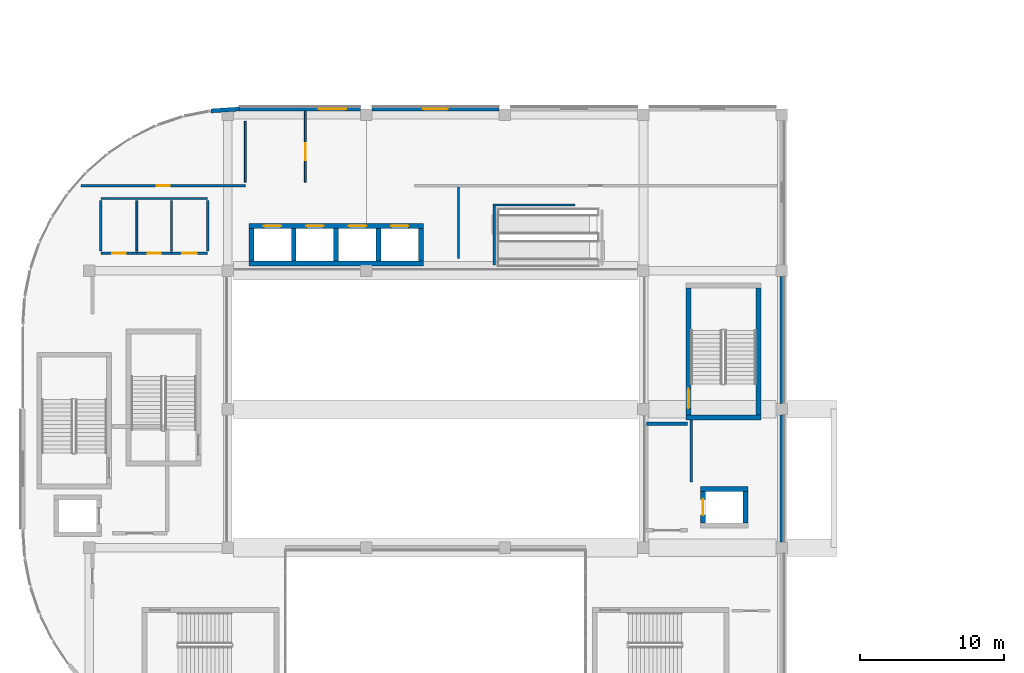
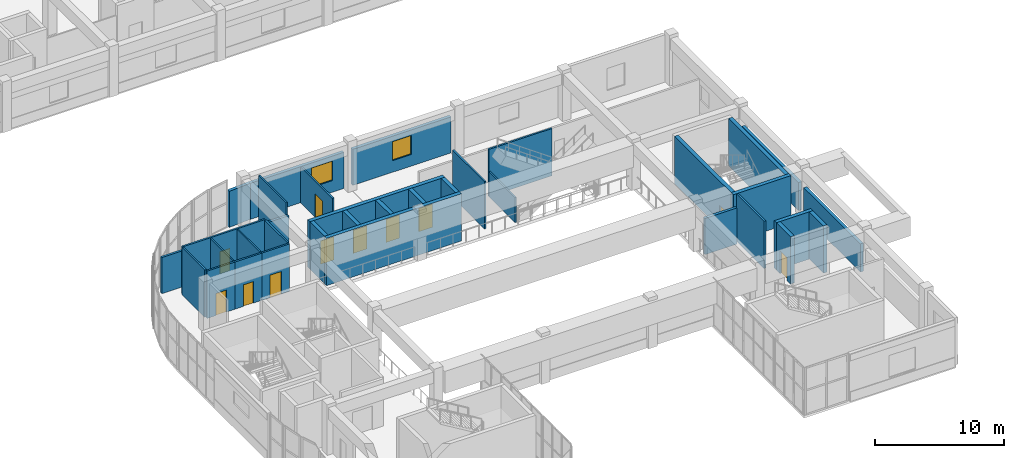
# One storey, part 22 of 33: 34 walls, 11 doors, 2 windows, 13 openings.
"""IFC4 building model written with IfcOpenShell, lengths in metres."""

from ifc_helpers import new_model, si_unit, direction, frame, frame_2d, origin, place, context, subcontext, project, spatial, rectangle, extrude, material, layer, layer_set, type_object, element, fill, save


model = new_model("IFC4")

# Units and contexts
model_context = context("Model", 3, precision=1e-05, world=origin(), true_north=direction((0.0, 1.0)))
body_context = subcontext(model_context, "Body", "Model", "MODEL_VIEW")
ifc_project = project(units=[si_unit("LENGTHUNIT", "METRE"), si_unit("AREAUNIT", "SQUARE_METRE"), si_unit("VOLUMEUNIT", "CUBIC_METRE"), si_unit("PLANEANGLEUNIT", "RADIAN"), si_unit("MASSUNIT", "GRAM", prefix="KILO")], contexts=[model_context])

# Site, building, storey
site_placement = place(None, origin())
site = spatial("IfcSite", under=ifc_project, at=site_placement, CompositionType="ELEMENT")
building_placement = place(site_placement, origin())
building = spatial("IfcBuilding", under=site, at=building_placement, Name="Cendralis Terraced Arcade", CompositionType="ELEMENT")
storey_placement = place(building_placement, frame((0.0, 0.0, 19.800048828125)))
storey = spatial("IfcBuildingStorey", under=building, at=storey_placement, Name="L04", CompositionType="ELEMENT", Elevation=19.800048828125)

# Wall, opening, door
ifc_material_1 = material(Name="Gypsum plasterboard acoustic partition", Category="concrete")
ifc_layer_1 = layer(ifc_material_1, 0.199951171875, Name="WL-ACOU-200")
ifc_layer_set_1 = layer_set([ifc_layer_1], Name="Gypsum plasterboard acoustic partition")
wall_type_1 = type_object("IfcWallType", Name="WL-ACOU-200", PredefinedType="PARTITIONING", material=ifc_layer_set_1)
wall_1_placement = place(storey_placement, frame((9.032958984375, 44.280029296875, 0.0), z_axis=(0.0, 0.0, 1.0), x_axis=(1.0, 0.0, 0.0)))
wall_1 = element("IfcWall", 1, at=wall_1_placement, inside=storey, type_object=wall_type_1, Name="Interior Partition Wall IW-L04-0577", PredefinedType="PARTITIONING", context=body_context, shape_type="SweptSolid", body=[
    extrude(rectangle(XDim=11.386962890625, YDim=0.199951171875, at=frame_2d((5.693359375, 0.0))), origin(), (0.0, 0.0, 1.0), 3.419921875),
])
opening_1_placement = place(wall_1_placement, frame((5.2333984375, 0.0, 0.0)))
opening_1 = element("IfcOpeningElement", 2, at=opening_1_placement, cuts=wall_1, Name="Opening D-L04-158", PredefinedType="OPENING", context=body_context, shape_type="SweptSolid", body=[
    extrude(rectangle(XDim=0.919921875, YDim=2.10009765625, at=frame_2d((0.4599609375, 1.050048828125))), frame((0.0, 0.11181640625, 0.0), z_axis=(0.0, -1.0, 0.0), x_axis=(1.0, 0.0, 0.0)), (0.0, 0.0, 1.0), 0.223876953125),
])
ifc_material_2 = material(Name="Solid core Andean oak veneer door leaf", Category="aluminium")
door_type_1 = type_object("IfcDoorType", Name="ID-RM-0920x2100", OperationType="NOTDEFINED", PredefinedType="DOOR", material=ifc_material_2)
door_1_placement = place(opening_1_placement, origin())
door_1 = element("IfcDoor", 3, at=door_1_placement, inside=storey, type_object=door_type_1, Name="Bookshop and Stationery Salon Door D-L04-158", OperationType="SINGLE_SWING_LEFT", OverallHeight=2.10009765625, OverallWidth=0.919921875, PredefinedType="DOOR", context=body_context, shape_type="SweptSolid", body=[
    extrude(rectangle(XDim=0.919921875, YDim=2.10009765625, at=frame_2d((0.4599609375, 1.050048828125))), frame((0.0, 0.02490234375, 0.0), z_axis=(0.0, -1.0, 0.0), x_axis=(1.0, 0.0, 0.0)), (0.0, 0.0, 1.0), 0.050048828125),
])
fill(opening_1, door_1)

# Walls
ifc_material_3 = material(Name="Concrete f'c 42 MPa", Category="concrete")
ifc_layer_2 = layer(ifc_material_3, 0.340087890625, Name="WL-CORE-340")
ifc_layer_set_2 = layer_set([ifc_layer_2], Name="Concrete f'c 42 MPa")
wall_type_2 = type_object("IfcWallType", Name="WL-CORE-340", PredefinedType="SHEAR", material=ifc_layer_set_2)
wall_2_placement = place(storey_placement, frame((50.9599609375, 28.22998046875, 0.0), z_axis=(0.0, 0.0, 1.0), x_axis=(1.0, 0.0, 0.0)))
element("IfcWall", 4, at=wall_2_placement, inside=storey, type_object=wall_type_2, Name="Stair Core Reinforced Concrete Shear Wall SW-ST-04-L04-S", PredefinedType="SHEAR", context=body_context, shape_type="SweptSolid", body=[
    extrude(rectangle(XDim=5.179931640625, YDim=0.340087890625, at=frame_2d((2.58984375, 0.0))), origin(), (0.0, 0.0, 1.0), 4.47998046875),
])
wall_3_placement = place(storey_placement, frame((55.969970703125, 28.39990234375, 0.0), z_axis=(0.0, 0.0, 1.0), x_axis=(0.0, 1.0, 0.0)))
element("IfcWall", 5, at=wall_3_placement, inside=storey, type_object=wall_type_2, Name="Stair Core Reinforced Concrete Shear Wall SW-ST-04-L04-E", PredefinedType="SHEAR", context=body_context, shape_type="SweptSolid", body=[
    extrude(rectangle(XDim=8.800048828125, YDim=0.340087890625, at=frame_2d((4.39990234375, 0.0))), origin(), (0.0, 0.0, 1.0), 4.47998046875),
])

# Wall, opening, door
wall_4_placement = place(storey_placement, frame((51.1298828125, 28.39990234375, 0.0), z_axis=(0.0, 0.0, 1.0), x_axis=(0.0, 1.0, 0.0)))
wall_4 = element("IfcWall", 6, at=wall_4_placement, inside=storey, type_object=wall_type_2, Name="Stair Core Reinforced Concrete Shear Wall SW-ST-04-L04-W", PredefinedType="SHEAR", context=body_context, shape_type="SweptSolid", body=[
    extrude(rectangle(XDim=8.800048828125, YDim=0.340087890625, at=frame_2d((4.39990234375, 0.0))), origin(), (0.0, 0.0, 1.0), 4.47998046875),
])
opening_2_placement = place(wall_4_placement, frame((0.449951171875, 0.0, 0.0)))
opening_2 = element("IfcOpeningElement", 7, at=opening_2_placement, cuts=wall_4, Name="Opening D-ST-04-L04", PredefinedType="OPENING", context=body_context, shape_type="SweptSolid", body=[
    extrude(rectangle(XDim=1.35009765625, YDim=2.199951171875, at=frame_2d((0.675048828125, 1.10009765625))), frame((0.0, 0.18212890625, 0.0), z_axis=(0.0, -1.0, 0.0), x_axis=(1.0, 0.0, 0.0)), (0.0, 0.0, 1.0), 0.364013671875),
])
ifc_material_4 = material(Name="Galvanised fire-rated steel door assembly", Category="steel")
door_type_2 = type_object("IfcDoorType", Name="ID-ST-1350x2200", OperationType="NOTDEFINED", PredefinedType="DOOR", material=ifc_material_4)
door_2_placement = place(opening_2_placement, frame((1.35009765625, 0.0, 0.0), z_axis=(0.0, 0.0, 1.0), x_axis=(-1.0, 0.0, 0.0)))
door_2 = element("IfcDoor", 8, at=door_2_placement, inside=storey, type_object=door_type_2, Name="Protected Stair ST-04 Fire Door (L04)", OperationType="SINGLE_SWING_RIGHT", OverallHeight=2.199951171875, OverallWidth=1.35009765625, PredefinedType="DOOR", context=body_context, shape_type="SweptSolid", body=[
    extrude(rectangle(XDim=1.35009765625, YDim=2.199951171875, at=frame_2d((0.675048828125, 1.10009765625))), frame((0.0, 0.02490234375, 0.0), z_axis=(0.0, -1.0, 0.0), x_axis=(1.0, 0.0, 0.0)), (0.0, 0.0, 1.0), 0.050048828125),
])
fill(opening_2, door_2)

# Wall
wall_5_placement = place(storey_placement, frame((51.9599609375, 23.27001953125, 0.0), z_axis=(0.0, 0.0, 1.0), x_axis=(1.0, 0.0, 0.0)))
element("IfcWall", 9, at=wall_5_placement, inside=storey, type_object=wall_type_2, Name="Lift FFL-02 Reinforced Concrete Shaft Wall (L04)", PredefinedType="SHEAR", context=body_context, shape_type="SweptSolid", body=[
    extrude(rectangle(XDim=3.280029296875, YDim=0.340087890625, at=frame_2d((1.64013671875, 0.0))), origin(), (0.0, 0.0, 1.0), 4.47998046875),
])

# Wall, opening, door
wall_6_placement = place(storey_placement, frame((52.1298828125, 20.89990234375, 0.0), z_axis=(0.0, 0.0, 1.0), x_axis=(0.0, 1.0, 0.0)))
wall_6 = element("IfcWall", 10, at=wall_6_placement, inside=storey, type_object=wall_type_2, Name="Lift FFL-02 Reinforced Concrete Shaft Wall (L04)", PredefinedType="SHEAR", context=body_context, shape_type="SweptSolid", body=[
    extrude(rectangle(XDim=2.2001953125, YDim=0.340087890625, at=frame_2d((1.10009765625, 0.0))), origin(), (0.0, 0.0, 1.0), 4.47998046875),
])
opening_3_placement = place(wall_6_placement, frame((0.550048828125, 0.0, 0.0)))
opening_3 = element("IfcOpeningElement", 11, at=opening_3_placement, cuts=wall_6, Name="Opening LD-FFL-02-L04", PredefinedType="OPENING", context=body_context, shape_type="SweptSolid", body=[
    extrude(rectangle(XDim=1.10009765625, YDim=2.14990234375, at=frame_2d((0.550048828125, 1.074951171875))), frame((0.0, 0.18212890625, 0.0), z_axis=(0.0, -1.0, 0.0), x_axis=(1.0, 0.0, 0.0)), (0.0, 0.0, 1.0), 0.364013671875),
])
ifc_material_5 = material(Name="Anodised aluminium sliding door assembly", Category="aluminium")
door_type_3 = type_object("IfcDoorType", Name="ID-LD-FF-1100x2150", OperationType="DOUBLE_DOOR_SLIDING", PredefinedType="DOOR", material=ifc_material_5)
door_3_placement = place(opening_3_placement, origin())
door_3 = element("IfcDoor", 12, at=door_3_placement, inside=storey, type_object=door_type_3, Name="Lift FFL-02 Sliding Landing Door (L04)", OperationType="DOUBLE_DOOR_SLIDING", OverallHeight=2.14990234375, OverallWidth=1.10009765625, PredefinedType="DOOR", context=body_context, shape_type="SweptSolid", body=[
    extrude(rectangle(XDim=1.10009765625, YDim=2.14990234375, at=frame_2d((0.550048828125, 1.074951171875))), frame((0.0, 0.02490234375, 0.0), z_axis=(0.0, -1.0, 0.0), x_axis=(1.0, 0.0, 0.0)), (0.0, 0.0, 1.0), 0.050048828125),
])
fill(opening_3, door_3)

# Walls
wall_7_placement = place(storey_placement, frame((55.070068359375, 20.89990234375, 0.0), z_axis=(0.0, 0.0, 1.0), x_axis=(0.0, 1.0, 0.0)))
element("IfcWall", 13, at=wall_7_placement, inside=storey, type_object=wall_type_2, Name="Lift FFL-02 Reinforced Concrete Shaft Wall (L04)", PredefinedType="SHEAR", context=body_context, shape_type="SweptSolid", body=[
    extrude(rectangle(XDim=2.2001953125, YDim=0.340087890625, at=frame_2d((1.10009765625, 0.0))), origin(), (0.0, 0.0, 1.0), 4.47998046875),
])
for number, where, z_axis, x_axis, name in (
    (14, (23.77001953125, 39.074951171875, 0.0), (0.0, 0.0, 1.0), (0.0, 1.0, 0.0), "Lift PL-01 Reinforced Concrete Shaft Wall (L04)"),
    (15, (20.830078125, 39.074951171875, 0.0), (0.0, 0.0, 1.0), (0.0, 1.0, 0.0), "Lift PL-01 Reinforced Concrete Shaft Wall (L04)"),
):
    element("IfcWall", number, at=place(storey_placement, frame(where, z_axis=z_axis, x_axis=x_axis)), inside=storey, type_object=wall_type_2, Name=name, PredefinedType="SHEAR", context=body_context, shape_type="SweptSolid", body=[
        extrude(rectangle(XDim=2.25, YDim=0.340087890625, at=frame_2d((1.125, 0.0))), origin(), (0.0, 0.0, 1.0), 4.47998046875),
    ])
wall_8_placement = place(storey_placement, frame((20.659912109375, 38.905029296875, 0.0), z_axis=(0.0, 0.0, 1.0), x_axis=(1.0, 0.0, 0.0)))
element("IfcWall", 16, at=wall_8_placement, inside=storey, type_object=wall_type_2, Name="Lift PL-01 Reinforced Concrete Shaft Wall (L04)", PredefinedType="SHEAR", context=body_context, shape_type="SweptSolid", body=[
    extrude(rectangle(XDim=12.10009765625, YDim=0.340087890625, at=frame_2d((6.050048828125, 0.0))), origin(), (0.0, 0.0, 1.0), 4.47998046875),
])

# Wall, openings, doors
wall_9_placement = place(storey_placement, frame((20.659912109375, 41.4951171875, 0.0), z_axis=(0.0, 0.0, 1.0), x_axis=(1.0, 0.0, 0.0)))
wall_9 = element("IfcWall", 17, at=wall_9_placement, inside=storey, type_object=wall_type_2, Name="Lift PL-01 Reinforced Concrete Shaft Wall (L04)", PredefinedType="SHEAR", context=body_context, shape_type="SweptSolid", body=[
    extrude(rectangle(XDim=12.10009765625, YDim=0.340087890625, at=frame_2d((6.050048828125, 0.0))), origin(), (0.0, 0.0, 1.0), 4.47998046875),
])
opening_4_placement = place(wall_9_placement, frame((1.0400390625, 0.0, 0.0)))
opening_4 = element("IfcOpeningElement", 18, at=opening_4_placement, cuts=wall_9, Name="Opening LD-PL-01-L04", PredefinedType="OPENING", context=body_context, shape_type="SweptSolid", body=[
    extrude(rectangle(XDim=1.199951171875, YDim=2.199951171875, at=frame_2d((0.60009765625, 1.10009765625))), frame((0.0, 0.18212890625, 0.0), z_axis=(0.0, -1.0, 0.0), x_axis=(1.0, 0.0, 0.0)), (0.0, 0.0, 1.0), 0.364013671875),
])
opening_5_placement = place(wall_9_placement, frame((3.97998046875, 0.0, 0.0)))
opening_5 = element("IfcOpeningElement", 19, at=opening_5_placement, cuts=wall_9, Name="Opening LD-PL-02-L04", PredefinedType="OPENING", context=body_context, shape_type="SweptSolid", body=[
    extrude(rectangle(XDim=1.199951171875, YDim=2.199951171875, at=frame_2d((0.60009765625, 1.10009765625))), frame((0.0, 0.18212890625, 0.0), z_axis=(0.0, -1.0, 0.0), x_axis=(1.0, 0.0, 0.0)), (0.0, 0.0, 1.0), 0.364013671875),
])
opening_6_placement = place(wall_9_placement, frame((6.919921875, 0.0, 0.0)))
opening_6 = element("IfcOpeningElement", 20, at=opening_6_placement, cuts=wall_9, Name="Opening LD-PL-03-L04", PredefinedType="OPENING", context=body_context, shape_type="SweptSolid", body=[
    extrude(rectangle(XDim=1.199951171875, YDim=2.199951171875, at=frame_2d((0.60009765625, 1.10009765625))), frame((0.0, 0.18212890625, 0.0), z_axis=(0.0, -1.0, 0.0), x_axis=(1.0, 0.0, 0.0)), (0.0, 0.0, 1.0), 0.364013671875),
])
opening_7_placement = place(wall_9_placement, frame((9.860107421875, 0.0, 0.0)))
opening_7 = element("IfcOpeningElement", 21, at=opening_7_placement, cuts=wall_9, Name="Opening LD-PL-04-L04", PredefinedType="OPENING", context=body_context, shape_type="SweptSolid", body=[
    extrude(rectangle(XDim=1.199951171875, YDim=2.199951171875, at=frame_2d((0.60009765625, 1.10009765625))), frame((0.0, 0.18212890625, 0.0), z_axis=(0.0, -1.0, 0.0), x_axis=(1.0, 0.0, 0.0)), (0.0, 0.0, 1.0), 0.364013671875),
])
door_type_4 = type_object("IfcDoorType", Name="ID-LD-PX-1200x2200", OperationType="DOUBLE_DOOR_SLIDING", PredefinedType="DOOR", material=ifc_material_5)
door_4_placement = place(opening_4_placement, origin())
door_4 = element("IfcDoor", 22, at=door_4_placement, inside=storey, type_object=door_type_4, Name="Lift PL-01 Sliding Landing Door (L04)", OperationType="DOUBLE_DOOR_SLIDING", OverallHeight=2.199951171875, OverallWidth=1.199951171875, PredefinedType="DOOR", context=body_context, shape_type="SweptSolid", body=[
    extrude(rectangle(XDim=1.199951171875, YDim=2.199951171875, at=frame_2d((0.60009765625, 1.10009765625))), frame((0.0, 0.02490234375, 0.0), z_axis=(0.0, -1.0, 0.0), x_axis=(1.0, 0.0, 0.0)), (0.0, 0.0, 1.0), 0.050048828125),
])
fill(opening_4, door_4)
door_5_placement = place(opening_5_placement, origin())
door_5 = element("IfcDoor", 23, at=door_5_placement, inside=storey, type_object=door_type_4, Name="Lift PL-02 Sliding Landing Door (L04)", OperationType="DOUBLE_DOOR_SLIDING", OverallHeight=2.199951171875, OverallWidth=1.199951171875, PredefinedType="DOOR", context=body_context, shape_type="SweptSolid", body=[
    extrude(rectangle(XDim=1.199951171875, YDim=2.199951171875, at=frame_2d((0.60009765625, 1.10009765625))), frame((0.0, 0.02490234375, 0.0), z_axis=(0.0, -1.0, 0.0), x_axis=(1.0, 0.0, 0.0)), (0.0, 0.0, 1.0), 0.050048828125),
])
fill(opening_5, door_5)
door_6_placement = place(opening_6_placement, origin())
door_6 = element("IfcDoor", 24, at=door_6_placement, inside=storey, type_object=door_type_4, Name="Lift PL-03 Sliding Landing Door (L04)", OperationType="DOUBLE_DOOR_SLIDING", OverallHeight=2.199951171875, OverallWidth=1.199951171875, PredefinedType="DOOR", context=body_context, shape_type="SweptSolid", body=[
    extrude(rectangle(XDim=1.199951171875, YDim=2.199951171875, at=frame_2d((0.60009765625, 1.10009765625))), frame((0.0, 0.02490234375, 0.0), z_axis=(0.0, -1.0, 0.0), x_axis=(1.0, 0.0, 0.0)), (0.0, 0.0, 1.0), 0.050048828125),
])
fill(opening_6, door_6)
door_7_placement = place(opening_7_placement, origin())
door_7 = element("IfcDoor", 25, at=door_7_placement, inside=storey, type_object=door_type_4, Name="Lift PL-04 Sliding Landing Door (L04)", OperationType="DOUBLE_DOOR_SLIDING", OverallHeight=2.199951171875, OverallWidth=1.199951171875, PredefinedType="DOOR", context=body_context, shape_type="SweptSolid", body=[
    extrude(rectangle(XDim=1.199951171875, YDim=2.199951171875, at=frame_2d((0.60009765625, 1.10009765625))), frame((0.0, 0.02490234375, 0.0), z_axis=(0.0, -1.0, 0.0), x_axis=(1.0, 0.0, 0.0)), (0.0, 0.0, 1.0), 0.050048828125),
])
fill(opening_7, door_7)

# Walls
for number, where, z_axis, x_axis, name in (
    (26, (26.7099609375, 39.074951171875, 0.0), (0.0, 0.0, 1.0), (0.0, 1.0, 0.0), "Lift PL-02 Reinforced Concrete Shaft Wall (L04)"),
    (27, (29.64990234375, 39.074951171875, 0.0), (0.0, 0.0, 1.0), (0.0, 1.0, 0.0), "Lift PL-03 Reinforced Concrete Shaft Wall (L04)"),
    (28, (32.590087890625, 39.074951171875, 0.0), (0.0, 0.0, 1.0), (0.0, 1.0, 0.0), "Lift PL-04 Reinforced Concrete Shaft Wall (L04)"),
):
    element("IfcWall", number, at=place(storey_placement, frame(where, z_axis=z_axis, x_axis=x_axis)), inside=storey, type_object=wall_type_2, Name=name, PredefinedType="SHEAR", context=body_context, shape_type="SweptSolid", body=[
        extrude(rectangle(XDim=2.25, YDim=0.340087890625, at=frame_2d((1.125, 0.0))), origin(), (0.0, 0.0, 1.0), 4.47998046875),
    ])
ifc_material_6 = material(Name="Precast concrete f'c 40 MPa", Category="concrete")
ifc_layer_3 = layer(ifc_material_6, 0.280029296875, Name="WL-EXT-GRC-280")
ifc_layer_set_3 = layer_set([ifc_layer_3], Name="Precast concrete f'c 40 MPa")
wall_type_3 = type_object("IfcWallType", Name="WL-EXT-GRC-280", PredefinedType="SOLIDWALL", material=ifc_layer_set_3)
wall_10_placement = place(storey_placement, frame((18.0419921875, 49.4716796875, 0.0), z_axis=(0.0, 0.0, 1.0), x_axis=(0.997856149912, 0.065445428286, 0.0)))
element("IfcWall", 29, at=wall_10_placement, inside=storey, type_object=wall_type_3, Name="Exterior Architectural Wall EW-L04-0297", PredefinedType="SOLIDWALL", context=body_context, shape_type="SweptSolid", body=[
    extrude(rectangle(XDim=1.962158203125, YDim=0.280029296875, at=frame_2d((0.98095703125, 0.0))), origin(), (0.0, 0.0, 1.0), 3.419921875),
])

# Wall, opening, window
wall_11_placement = place(storey_placement, frame((20.0, 49.60009765625, 0.0), z_axis=(0.0, 0.0, 1.0), x_axis=(1.0, 0.0, 0.0)))
wall_11 = element("IfcWall", 30, at=wall_11_placement, inside=storey, type_object=wall_type_3, Name="Exterior Architectural Wall EW-L04-0298", PredefinedType="SOLIDWALL", context=body_context, shape_type="SweptSolid", body=[
    extrude(rectangle(XDim=8.402099609375, YDim=0.280029296875, at=frame_2d((4.201171875, 0.0))), origin(), (0.0, 0.0, 1.0), 3.419921875),
])
opening_8_placement = place(wall_11_placement, frame((5.50048828125, 0.0, 1.10009765625)))
opening_8 = element("IfcOpeningElement", 31, at=opening_8_placement, cuts=wall_11, Name="Opening W-13", PredefinedType="OPENING", context=body_context, shape_type="SweptSolid", body=[
    extrude(rectangle(XDim=1.89990234375, YDim=1.85009765625, at=frame_2d((0.949951171875, 0.925048828125))), frame((0.0, 0.15185546875, 0.0), z_axis=(0.0, -1.0, 0.0), x_axis=(1.0, 0.0, 0.0)), (0.0, 0.0, 1.0), 0.303955078125),
])
ifc_material_7 = material(Name="Tempered solar control laminated glass", Category="glass")
window_type_1 = type_object("IfcWindowType", Name="WN-F2-1900x1850", PartitioningType="SINGLE_PANEL", PredefinedType="WINDOW", material=ifc_material_7)
window_1_placement = place(opening_8_placement, origin())
window_1 = element("IfcWindow", 32, at=window_1_placement, inside=storey, type_object=window_type_1, Name="Exterior Solar-Control Window WN-L04-0201", OverallHeight=1.85009765625, OverallWidth=1.89990234375, PartitioningType="SINGLE_PANEL", PredefinedType="WINDOW", context=body_context, shape_type="SweptSolid", body=[
    extrude(rectangle(XDim=1.89990234375, YDim=1.85009765625, at=frame_2d((0.949951171875, 0.925048828125))), frame((0.0, 0.030029296875, 0.0), z_axis=(0.0, -1.0, 0.0), x_axis=(1.0, 0.0, 0.0)), (0.0, 0.0, 1.0), 0.06005859375),
])
fill(opening_8, window_1)

wall_12_placement = place(storey_placement, frame((29.197998046875, 49.60009765625, 0.0), z_axis=(0.0, 0.0, 1.0), x_axis=(1.0, 0.0, 0.0)))
wall_12 = element("IfcWall", 33, at=wall_12_placement, inside=storey, type_object=wall_type_3, Name="Exterior Architectural Wall EW-L04-0299", PredefinedType="SOLIDWALL", context=body_context, shape_type="SweptSolid", body=[
    extrude(rectangle(XDim=8.803955078125, YDim=0.280029296875, at=frame_2d((4.40185546875, 0.0))), origin(), (0.0, 0.0, 1.0), 3.419921875),
])
opening_9_placement = place(wall_12_placement, frame((3.552001953125, 0.0, 1.10009765625)))
opening_9 = element("IfcOpeningElement", 34, at=opening_9_placement, cuts=wall_12, Name="Opening W-14", PredefinedType="OPENING", context=body_context, shape_type="SweptSolid", body=[
    extrude(rectangle(XDim=1.699951171875, YDim=1.800048828125, at=frame_2d((0.85009765625, 0.89990234375))), frame((0.0, 0.15185546875, 0.0), z_axis=(0.0, -1.0, 0.0), x_axis=(1.0, 0.0, 0.0)), (0.0, 0.0, 1.0), 0.303955078125),
])
window_type_2 = type_object("IfcWindowType", Name="WN-F2-1700x1800", PartitioningType="SINGLE_PANEL", PredefinedType="WINDOW", material=ifc_material_7)
window_2_placement = place(opening_9_placement, origin())
window_2 = element("IfcWindow", 35, at=window_2_placement, inside=storey, type_object=window_type_2, Name="Exterior Solar-Control Window WN-L04-0202", OverallHeight=1.800048828125, OverallWidth=1.699951171875, PartitioningType="SINGLE_PANEL", PredefinedType="WINDOW", context=body_context, shape_type="SweptSolid", body=[
    extrude(rectangle(XDim=1.699951171875, YDim=1.800048828125, at=frame_2d((0.85009765625, 0.89990234375))), frame((0.0, 0.030029296875, 0.0), z_axis=(0.0, -1.0, 0.0), x_axis=(1.0, 0.0, 0.0)), (0.0, 0.0, 1.0), 0.06005859375),
])
fill(opening_9, window_2)

# Walls
wall_13_placement = place(storey_placement, frame((57.60009765625, 38.001953125, 0.0), z_axis=(0.0, 0.0, 1.0), x_axis=(0.0, -1.0, 0.0)))
element("IfcWall", 36, at=wall_13_placement, inside=storey, type_object=wall_type_3, Name="Exterior Architectural Wall EW-L04-0303", PredefinedType="SOLIDWALL", context=body_context, shape_type="SweptSolid", body=[
    extrude(rectangle(XDim=8.803955078125, YDim=0.280029296875, at=frame_2d((4.40185546875, 0.0))), origin(), (0.0, 0.0, 1.0), 2.669921875),
])
wall_14_placement = place(storey_placement, frame((57.60009765625, 28.402099609375, 0.0), z_axis=(0.0, 0.0, 1.0), x_axis=(0.0, -1.0, 0.0)))
element("IfcWall", 37, at=wall_14_placement, inside=storey, type_object=wall_type_3, Name="Exterior Architectural Wall EW-L04-0304", PredefinedType="SOLIDWALL", context=body_context, shape_type="SweptSolid", body=[
    extrude(rectangle(XDim=8.80419921875, YDim=0.280029296875, at=frame_2d((4.402099609375, 0.0))), origin(), (0.0, 0.0, 1.0), 2.669921875),
])
ifc_material_8 = material(Name="Autoclaved aerated concrete blockwork", Category="masonry")
ifc_layer_4 = layer(ifc_material_8, 0.25, Name="WL-FFL-250")
ifc_layer_set_4 = layer_set([ifc_layer_4], Name="Autoclaved aerated concrete blockwork")
wall_type_4 = type_object("IfcWallType", Name="WL-FFL-250", PredefinedType="PARTITIONING", material=ifc_layer_set_4)
wall_15_placement = place(storey_placement, frame((48.199951171875, 27.800048828125, 0.0), z_axis=(0.0, 0.0, 1.0), x_axis=(1.0, 0.0, 0.0)))
element("IfcWall", 38, at=wall_15_placement, inside=storey, type_object=wall_type_4, Name="Firefighting Lift Lobby FFL-02 Rated Wall N (L04)", PredefinedType="PARTITIONING", context=body_context, shape_type="SweptSolid", body=[
    extrude(rectangle(XDim=2.85009765625, YDim=0.25, at=frame_2d((1.425048828125, 0.0))), origin(), (0.0, 0.0, 1.0), 3.419921875),
])
ifc_layer_5 = layer(ifc_material_1, 0.1298828125, Name="WL-PART-130")
ifc_layer_set_5 = layer_set([ifc_layer_5], Name="Gypsum plasterboard acoustic partition")
wall_type_5 = type_object("IfcWallType", Name="WL-PART-130", PredefinedType="PARTITIONING", material=ifc_layer_set_5)
for number, where, z_axis, x_axis, name in (
    (39, (12.89990234375, 39.75, 0.0), (0.0, 0.0, 1.0), (0.0, 1.0, 0.0), "Restroom Enclosure Partition IW-WC-L04-0067"),
    (40, (15.300048828125, 39.75, 0.0), (0.0, 0.0, 1.0), (0.0, 1.0, 0.0), "Restroom Enclosure Partition IW-WC-L04-0068"),
):
    element("IfcWall", number, at=place(storey_placement, frame(where, z_axis=z_axis, x_axis=x_axis)), inside=storey, type_object=wall_type_5, Name=name, PredefinedType="PARTITIONING", context=body_context, shape_type="SweptSolid", body=[
        extrude(rectangle(XDim=3.5, YDim=0.1298828125, at=frame_2d((1.75, 0.0))), origin(), (0.0, 0.0, 1.0), 4.47998046875),
    ])
wall_16_placement = place(storey_placement, frame((20.419921875, 48.760009765625, 0.0), z_axis=(0.0, 0.0, 1.0), x_axis=(0.0, -1.0, 0.0)))
element("IfcWall", 41, at=wall_16_placement, inside=storey, type_object=wall_type_5, Name="Interior Partition Wall IW-L04-0588", PredefinedType="PARTITIONING", context=body_context, shape_type="SweptSolid", body=[
    extrude(rectangle(XDim=4.239990234375, YDim=0.1298828125, at=frame_2d((2.1201171875, 0.0))), origin(), (0.0, 0.0, 1.0), 4.47998046875),
])

# Wall, opening, door
ifc_layer_6 = layer(ifc_material_1, 0.137939453125, Name="WL-PART-138")
ifc_layer_set_6 = layer_set([ifc_layer_6], Name="Gypsum plasterboard acoustic partition")
wall_type_6 = type_object("IfcWallType", Name="WL-PART-138", PredefinedType="PARTITIONING", material=ifc_layer_set_6)
wall_17_placement = place(storey_placement, frame((24.580078125, 44.52001953125, 0.0), z_axis=(0.0, 0.0, 1.0), x_axis=(0.0, 1.0, 0.0)))
wall_17 = element("IfcWall", 42, at=wall_17_placement, inside=storey, type_object=wall_type_6, Name="Interior Partition Wall IW-L04-0587", PredefinedType="PARTITIONING", context=body_context, shape_type="SweptSolid", body=[
    extrude(rectangle(XDim=4.93994140625, YDim=0.137939453125, at=frame_2d((2.469970703125, 0.0))), origin(), (0.0, 0.0, 1.0), 3.419921875),
])
opening_10_placement = place(wall_17_placement, frame((1.530029296875, 0.0, 0.0)))
opening_10 = element("IfcOpeningElement", 43, at=opening_10_placement, cuts=wall_17, Name="Opening D-L04-157", PredefinedType="OPENING", context=body_context, shape_type="SweptSolid", body=[
    extrude(rectangle(XDim=1.179931640625, YDim=2.219970703125, at=frame_2d((0.58984375, 1.10986328125))), frame((0.0, 0.0810546875, 0.0), z_axis=(0.0, -1.0, 0.0), x_axis=(1.0, 0.0, 0.0)), (0.0, 0.0, 1.0), 0.161865234375),
])
door_type_5 = type_object("IfcDoorType", Name="ID-RM-1180x2220", OperationType="NOTDEFINED", PredefinedType="DOOR", material=ifc_material_2)
door_8_placement = place(opening_10_placement, origin())
door_8 = element("IfcDoor", 44, at=door_8_placement, inside=storey, type_object=door_type_5, Name="Bookshop and Stationery Salon Door D-L04-157", OperationType="SINGLE_SWING_RIGHT", OverallHeight=2.219970703125, OverallWidth=1.179931640625, PredefinedType="DOOR", context=body_context, shape_type="SweptSolid", body=[
    extrude(rectangle(XDim=1.179931640625, YDim=2.219970703125, at=frame_2d((0.58984375, 1.10986328125))), frame((0.0, 0.02490234375, 0.0), z_axis=(0.0, -1.0, 0.0), x_axis=(1.0, 0.0, 0.0)), (0.0, 0.0, 1.0), 0.050048828125),
])
fill(opening_10, door_8)

# Walls
ifc_layer_7 = layer(ifc_material_1, 0.14990234375, Name="WL-PART-150")
ifc_layer_set_7 = layer_set([ifc_layer_7], Name="Gypsum plasterboard acoustic partition")
wall_type_7 = type_object("IfcWallType", Name="WL-PART-150", PredefinedType="PARTITIONING", material=ifc_layer_set_7)
wall_18_placement = place(storey_placement, frame((37.659912109375, 42.863037109375, 0.0), z_axis=(0.0, 0.0, 1.0), x_axis=(0.0, -1.0, 0.0)))
element("IfcWall", 45, at=wall_18_placement, inside=storey, type_object=wall_type_7, Name="Interior Partition Wall IW-L04-0585", PredefinedType="PARTITIONING", context=body_context, shape_type="SweptSolid", body=[
    extrude(rectangle(XDim=4.06298828125, YDim=0.14990234375, at=frame_2d((2.031494140625, 0.0))), origin(), (0.0, 0.0, 1.0), 2.369873046875),
])
ifc_layer_8 = layer(ifc_material_1, 0.154052734375, Name="WL-PART-154")
ifc_layer_set_8 = layer_set([ifc_layer_8], Name="Gypsum plasterboard acoustic partition")
wall_type_8 = type_object("IfcWallType", Name="WL-PART-154", PredefinedType="PARTITIONING", material=ifc_layer_set_8)
wall_19_placement = place(storey_placement, frame((43.270263671875, 42.93994140625, 0.0), z_axis=(0.0, 0.0, 1.0), x_axis=(-1.0, 0.0, 0.0)))
element("IfcWall", 46, at=wall_19_placement, inside=storey, type_object=wall_type_8, Name="Interior Partition Wall IW-L04-0584", PredefinedType="PARTITIONING", context=body_context, shape_type="SweptSolid", body=[
    extrude(rectangle(XDim=5.685302734375, YDim=0.154052734375, at=frame_2d((2.8427734375, 0.0))), origin(), (0.0, 0.0, 1.0), 4.47998046875),
])
ifc_layer_9 = layer(ifc_material_1, 0.159912109375, Name="WL-PART-160")
ifc_layer_set_9 = layer_set([ifc_layer_9], Name="Gypsum plasterboard acoustic partition")
wall_type_9 = type_object("IfcWallType", Name="WL-PART-160", PredefinedType="PARTITIONING", material=ifc_layer_set_9)
wall_20_placement = place(storey_placement, frame((10.39990234375, 43.39990234375, 0.0), z_axis=(0.0, 0.0, 1.0), x_axis=(1.0, 0.0, 0.0)))
element("IfcWall", 47, at=wall_20_placement, inside=storey, type_object=wall_type_9, Name="Restroom Enclosure Partition IW-WC-L04-0065", PredefinedType="PARTITIONING", context=body_context, shape_type="SweptSolid", body=[
    extrude(rectangle(XDim=7.400146484375, YDim=0.159912109375, at=frame_2d((3.7001953125, 0.0))), origin(), (0.0, 0.0, 1.0), 4.47998046875),
])
for number, where, z_axis, x_axis, name in (
    (48, (10.39990234375, 39.75, 0.0), (0.0, 0.0, 1.0), (0.0, 1.0, 0.0), "Restroom Enclosure Partition IW-WC-L04-0066"),
    (49, (17.800048828125, 39.75, 0.0), (0.0, 0.0, 1.0), (0.0, 1.0, 0.0), "Restroom Enclosure Partition IW-WC-L04-0069"),
):
    element("IfcWall", number, at=place(storey_placement, frame(where, z_axis=z_axis, x_axis=x_axis)), inside=storey, type_object=wall_type_9, Name=name, PredefinedType="PARTITIONING", context=body_context, shape_type="SweptSolid", body=[
        extrude(rectangle(XDim=3.5, YDim=0.159912109375, at=frame_2d((1.75, 0.0))), origin(), (0.0, 0.0, 1.0), 4.47998046875),
    ])

# Wall, opening, door
wall_21_placement = place(storey_placement, frame((10.39990234375, 39.60009765625, 0.0), z_axis=(0.0, 0.0, 1.0), x_axis=(1.0, 0.0, 0.0)))
wall_21 = element("IfcWall", 50, at=wall_21_placement, inside=storey, type_object=wall_type_9, Name="Restroom Enclosure Partition IW-WC-L04-0070", PredefinedType="PARTITIONING", context=body_context, shape_type="SweptSolid", body=[
    extrude(rectangle(XDim=2.5, YDim=0.159912109375, at=frame_2d((1.25, 0.0))), origin(), (0.0, 0.0, 1.0), 4.47998046875),
])
opening_11_placement = place(wall_21_placement, frame((0.77490234375, 0.0, 0.0)))
opening_11 = element("IfcOpeningElement", 51, at=opening_11_placement, cuts=wall_21, Name="Opening D-WC-L04-024", PredefinedType="OPENING", context=body_context, shape_type="SweptSolid", body=[
    extrude(rectangle(XDim=0.949951171875, YDim=2.080078125, at=frame_2d((0.47509765625, 1.0400390625))), frame((0.0, 0.091796875, 0.0), z_axis=(0.0, -1.0, 0.0), x_axis=(1.0, 0.0, 0.0)), (0.0, 0.0, 1.0), 0.183837890625),
])
door_type_6 = type_object("IfcDoorType", Name="ID-WC-0950x2080", OperationType="NOTDEFINED", PredefinedType="DOOR", material=ifc_material_2)
door_9_placement = place(opening_11_placement, origin())
door_9 = element("IfcDoor", 52, at=door_9_placement, inside=storey, type_object=door_type_6, Name="Women's Restroom Door (L04)", OperationType="SINGLE_SWING_LEFT", OverallHeight=2.080078125, OverallWidth=0.949951171875, PredefinedType="DOOR", context=body_context, shape_type="SweptSolid", body=[
    extrude(rectangle(XDim=0.949951171875, YDim=2.080078125, at=frame_2d((0.47509765625, 1.0400390625))), frame((0.0, 0.02490234375, 0.0), z_axis=(0.0, -1.0, 0.0), x_axis=(1.0, 0.0, 0.0)), (0.0, 0.0, 1.0), 0.050048828125),
])
fill(opening_11, door_9)

wall_22_placement = place(storey_placement, frame((12.89990234375, 39.60009765625, 0.0), z_axis=(0.0, 0.0, 1.0), x_axis=(1.0, 0.0, 0.0)))
wall_22 = element("IfcWall", 53, at=wall_22_placement, inside=storey, type_object=wall_type_9, Name="Restroom Enclosure Partition IW-WC-L04-0071", PredefinedType="PARTITIONING", context=body_context, shape_type="SweptSolid", body=[
    extrude(rectangle(XDim=2.400146484375, YDim=0.159912109375, at=frame_2d((1.2001953125, 0.0))), origin(), (0.0, 0.0, 1.0), 4.47998046875),
])
opening_12_placement = place(wall_22_placement, frame((0.739990234375, 0.0, 0.0)))
opening_12 = element("IfcOpeningElement", 54, at=opening_12_placement, cuts=wall_22, Name="Opening D-WC-L04-025", PredefinedType="OPENING", context=body_context, shape_type="SweptSolid", body=[
    extrude(rectangle(XDim=0.919921875, YDim=2.050048828125, at=frame_2d((0.4599609375, 1.02490234375))), frame((0.0, 0.091796875, 0.0), z_axis=(0.0, -1.0, 0.0), x_axis=(1.0, 0.0, 0.0)), (0.0, 0.0, 1.0), 0.183837890625),
])
door_type_7 = type_object("IfcDoorType", Name="ID-WC-0920x2050", OperationType="NOTDEFINED", PredefinedType="DOOR", material=ifc_material_2)
door_10_placement = place(opening_12_placement, origin())
door_10 = element("IfcDoor", 55, at=door_10_placement, inside=storey, type_object=door_type_7, Name="Men's Restroom Door (L04)", OperationType="SINGLE_SWING_RIGHT", OverallHeight=2.050048828125, OverallWidth=0.919921875, PredefinedType="DOOR", context=body_context, shape_type="SweptSolid", body=[
    extrude(rectangle(XDim=0.919921875, YDim=2.050048828125, at=frame_2d((0.4599609375, 1.02490234375))), frame((0.0, 0.02490234375, 0.0), z_axis=(0.0, -1.0, 0.0), x_axis=(1.0, 0.0, 0.0)), (0.0, 0.0, 1.0), 0.050048828125),
])
fill(opening_12, door_10)

wall_23_placement = place(storey_placement, frame((15.300048828125, 39.60009765625, 0.0), z_axis=(0.0, 0.0, 1.0), x_axis=(1.0, 0.0, 0.0)))
wall_23 = element("IfcWall", 56, at=wall_23_placement, inside=storey, type_object=wall_type_9, Name="Restroom Enclosure Partition IW-WC-L04-0072", PredefinedType="PARTITIONING", context=body_context, shape_type="SweptSolid", body=[
    extrude(rectangle(XDim=2.5, YDim=0.159912109375, at=frame_2d((1.25, 0.0))), origin(), (0.0, 0.0, 1.0), 4.47998046875),
])
opening_13_placement = place(wall_23_placement, frame((0.739990234375, 0.0, 0.0)))
opening_13 = element("IfcOpeningElement", 57, at=opening_13_placement, cuts=wall_23, Name="Opening D-WC-L04-026", PredefinedType="OPENING", context=body_context, shape_type="SweptSolid", body=[
    extrude(rectangle(XDim=1.02001953125, YDim=2.1201171875, at=frame_2d((0.510009765625, 1.06005859375))), frame((0.0, 0.091796875, 0.0), z_axis=(0.0, -1.0, 0.0), x_axis=(1.0, 0.0, 0.0)), (0.0, 0.0, 1.0), 0.183837890625),
])
door_type_8 = type_object("IfcDoorType", Name="ID-AWC-1020x2120", OperationType="NOTDEFINED", PredefinedType="DOOR", material=ifc_material_2)
door_11_placement = place(opening_13_placement, origin())
door_11 = element("IfcDoor", 58, at=door_11_placement, inside=storey, type_object=door_type_8, Name="Accessible WC Door (L04)", OperationType="SINGLE_SWING_LEFT", OverallHeight=2.1201171875, OverallWidth=1.02001953125, PredefinedType="DOOR", context=body_context, shape_type="SweptSolid", body=[
    extrude(rectangle(XDim=1.02001953125, YDim=2.1201171875, at=frame_2d((0.510009765625, 1.06005859375))), frame((0.0, 0.02490234375, 0.0), z_axis=(0.0, -1.0, 0.0), x_axis=(1.0, 0.0, 0.0)), (0.0, 0.0, 1.0), 0.050048828125),
])
fill(opening_13, door_11)

# Walls
wall_24_placement = place(storey_placement, frame((35.179931640625, 39.239990234375, 0.0), z_axis=(0.0, 0.0, 1.0), x_axis=(0.0, 1.0, 0.0)))
element("IfcWall", 59, at=wall_24_placement, inside=storey, type_object=wall_type_9, Name="Interior Partition Wall IW-L04-0583", PredefinedType="PARTITIONING", context=body_context, shape_type="SweptSolid", body=[
    extrude(rectangle(XDim=4.955078125, YDim=0.159912109375, at=frame_2d((2.4775390625, 0.0))), origin(), (0.0, 0.0, 1.0), 4.47998046875),
])
ifc_layer_10 = layer(ifc_material_1, 0.1650390625, Name="WL-PART-165")
ifc_layer_set_10 = layer_set([ifc_layer_10], Name="Gypsum plasterboard acoustic partition")
wall_type_10 = type_object("IfcWallType", Name="WL-PART-165", PredefinedType="PARTITIONING", material=ifc_layer_set_10)
wall_25_placement = place(storey_placement, frame((51.31005859375, 23.744873046875, 0.0), z_axis=(0.0, 0.0, 1.0), x_axis=(0.0, 1.0, 0.0)))
element("IfcWall", 60, at=wall_25_placement, inside=storey, type_object=wall_type_10, Name="Interior Partition Wall IW-L04-0582", PredefinedType="PARTITIONING", context=body_context, shape_type="SweptSolid", body=[
    extrude(rectangle(XDim=4.315185546875, YDim=0.1650390625, at=frame_2d((2.15771484375, 0.0))), origin(), (0.0, 0.0, 1.0), 4.47998046875),
])

save(model, "model.ifc")
